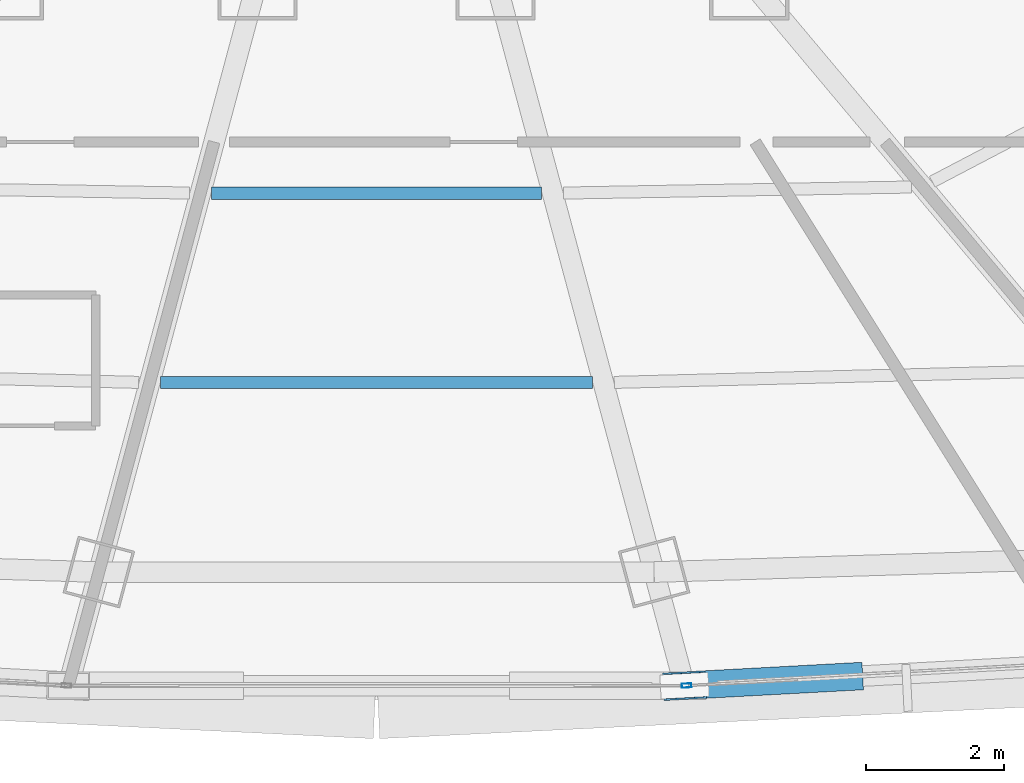
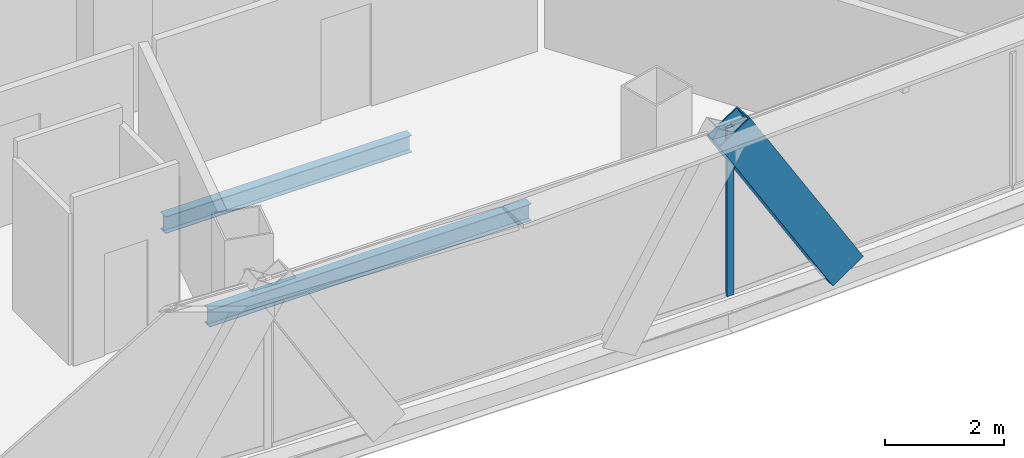
# One storey, part 10 of 37: 2 beams, 2 members, 1 element without a shape of its own.
"""IFC4 building model written with IfcOpenShell, lengths in metres."""

from ifc_helpers import new_model, si_unit, direction, frame, origin, origin_2d, place, context, subcontext, project, spatial, hollow_rectangle, i_section, extrude, source, transform, mapped, material, layer, layer_set, material_profile, profile_set, type_object, element, aggregate, save


model = new_model("IFC4")

# Units and contexts
model_context = context("Model", 3, precision=1e-05, world=origin(), true_north=direction((0.0, 1.0)))
body_context = subcontext(model_context, "Body", "Model", "MODEL_VIEW")
ifc_project = project(units=[si_unit("LENGTHUNIT", "METRE"), si_unit("AREAUNIT", "SQUARE_METRE"), si_unit("VOLUMEUNIT", "CUBIC_METRE"), si_unit("PLANEANGLEUNIT", "RADIAN"), si_unit("MASSUNIT", "GRAM", prefix="KILO"), si_unit("THERMODYNAMICTEMPERATUREUNIT", "KELVIN"), si_unit("POWERUNIT", "WATT")], contexts=[model_context])

# Site, building, storey
site_placement = place(None, origin())
site = spatial("IfcSite", under=ifc_project, at=site_placement, CompositionType="ELEMENT")
building_placement = place(site_placement, origin())
building = spatial("IfcBuilding", under=site, at=building_placement, Name="Yunzhuo Pagoda Commons", CompositionType="ELEMENT")
storey_placement = place(building_placement, frame((0.0, 0.0, 251.989990234375)))
storey = spatial("IfcBuildingStorey", under=building, at=storey_placement, Name="L63", CompositionType="ELEMENT", Elevation=251.989990234375)

# Beams
ifc_material_1 = material(Name="Structural steel Q355B", Category="steel")
ifc_material_profile_1 = material_profile(ifc_material_1, i_section(OverallWidth=0.175048828125, OverallDepth=0.35009765625, WebThickness=0.007080078125, FlangeThickness=0.010986328125, at=origin_2d()), Name="Structural steel Q355B")
ifc_profile_set_1 = profile_set([ifc_material_profile_1], Name="Structural steel Q355B")
beam_type = type_object("IfcBeamType", Name="B-JS2 Joist HN 350x175x7x11", PredefinedType="JOIST", material=ifc_profile_set_1)
shared_shape_1 = source(origin(), body_context, "Body", "SweptSolid", [
    extrude(i_section(OverallWidth=0.175048828125, OverallDepth=0.35009765625, WebThickness=0.007080078125, FlangeThickness=0.010986328125, at=origin_2d()), origin(), (0.0, 0.0, 1.0), 4.796875),
])
beam_1_placement = place(storey_placement, frame((45.601806640625, 24.155517578125, -0.43505859375), z_axis=(1.0, 0.0, 0.0), x_axis=(0.0, 1.0, 0.0)))
element("IfcBeam", 1, at=beam_1_placement, inside=storey, type_object=beam_type, Name="L63 composite ring joist 1.2", PredefinedType="JOIST", context=body_context, shape_type="MappedRepresentation", body=[
    mapped(shared_shape_1, transform((0.0, 0.0, 0.0), scale=1.0)),
])
shared_shape_2 = source(origin(), body_context, "Body", "SweptSolid", [
    extrude(i_section(OverallWidth=0.175048828125, OverallDepth=0.35009765625, WebThickness=0.007080078125, FlangeThickness=0.010986328125, at=origin_2d()), origin(), (0.0, 0.0, 1.0), 6.27099609375),
])
beam_2_placement = place(storey_placement, frame((44.864501953125, 21.40478515625, -0.43505859375), z_axis=(1.0, 0.0, 0.0), x_axis=(0.0, 1.0, 0.0)))
element("IfcBeam", 2, at=beam_2_placement, inside=storey, type_object=beam_type, Name="L63 composite ring joist 2.2", PredefinedType="JOIST", context=body_context, shape_type="MappedRepresentation", body=[
    mapped(shared_shape_2, transform((0.0, 0.0, 0.0), scale=1.0)),
])

# Member
ifc_material_profile_2 = material_profile(ifc_material_1, hollow_rectangle(XDim=0.39990234375, YDim=0.719970703125, WallThickness=0.02392578125, at=origin_2d()), Name="Structural steel Q355B")
ifc_profile_set_2 = profile_set([ifc_material_profile_2], Name="Structural steel Q355B")
member_type_1 = type_object("IfcMemberType", Name="M-DL2 Brace BOX 720x400x24", PredefinedType="BRACE", material=ifc_profile_set_2)
shared_shape_3 = source(origin(), body_context, "Body", "SweptSolid", [
    extrude(hollow_rectangle(XDim=0.39990234375, YDim=0.719970703125, WallThickness=0.02392578125, at=origin_2d()), origin(), (0.0, 0.0, 1.0), 4.37353515625),
])
member_1_placement = place(storey_placement, frame((54.754150390625, 17.1279296875, -0.259765625), z_axis=(-0.521448228754, -0.028190916981, 0.852817106377), x_axis=(0.053983900233, -0.998541806093, 0.0)))
element("IfcMember", 3, at=member_1_placement, inside=storey, type_object=member_type_1, Name="L63 facade diamond brace F1.3L", PredefinedType="BRACE", context=body_context, shape_type="MappedRepresentation", body=[
    mapped(shared_shape_3, transform((0.0, 0.0, 0.0), scale=1.0)),
])

# Curtain wall, member
ifc_material_2 = material(Name="Anodized aluminium 6063-T6", Category="aluminium")
ifc_layer = layer(ifc_material_2, 0.139892578125)
ifc_layer_set = layer_set([ifc_layer], Name="Anodized aluminium 6063-T6")
curtain_wall_type = type_object("IfcCurtainWallType", Name="CW-HI High-Zone Ribbon Curtain Wall", PredefinedType="NOTDEFINED", material=ifc_layer_set)
curtain_wall_placement = place(storey_placement, origin())
curtain_wall = element("IfcCurtainWall", 4, at=curtain_wall_placement, inside=storey, type_object=curtain_wall_type, Name="L63 curtain wall CW-L63-F1B4", PredefinedType="NOTDEFINED")
ifc_material_profile_3 = material_profile(ifc_material_2, hollow_rectangle(XDim=0.06005859375, YDim=0.139892578125, WallThickness=0.00341796875, at=origin_2d()), Name="Anodized aluminium 6063-T6")
ifc_profile_set_3 = profile_set([ifc_material_profile_3], Name="Anodized aluminium 6063-T6")
member_type_2 = type_object("IfcMemberType", Name="CW-HI-M Mullion RHS 140x60x3.5", PredefinedType="MULLION", material=ifc_profile_set_3)
shared_shape_4 = source(origin(), body_context, "Body", "SweptSolid", [
    extrude(hollow_rectangle(XDim=0.06005859375, YDim=0.139892578125, WallThickness=0.00341796875, at=origin_2d()), origin(), (0.0, 0.0, 1.0), 3.469970703125),
])
member_2_placement = place(storey_placement, frame((52.503662109375, 17.005859375, 0.0), z_axis=(0.0, 0.0, 1.0), x_axis=(-0.053988827702, 0.998541539688, 0.0)))
member_2 = element("IfcMember", 5, at=member_2_placement, type_object=member_type_2, Name="CW mullion 1", PredefinedType="MULLION", context=body_context, shape_type="MappedRepresentation", body=[
    mapped(shared_shape_4, transform((0.0, 0.0, 0.0), scale=1.0)),
])
aggregate(curtain_wall, [member_2])

save(model, "model.ifc")
